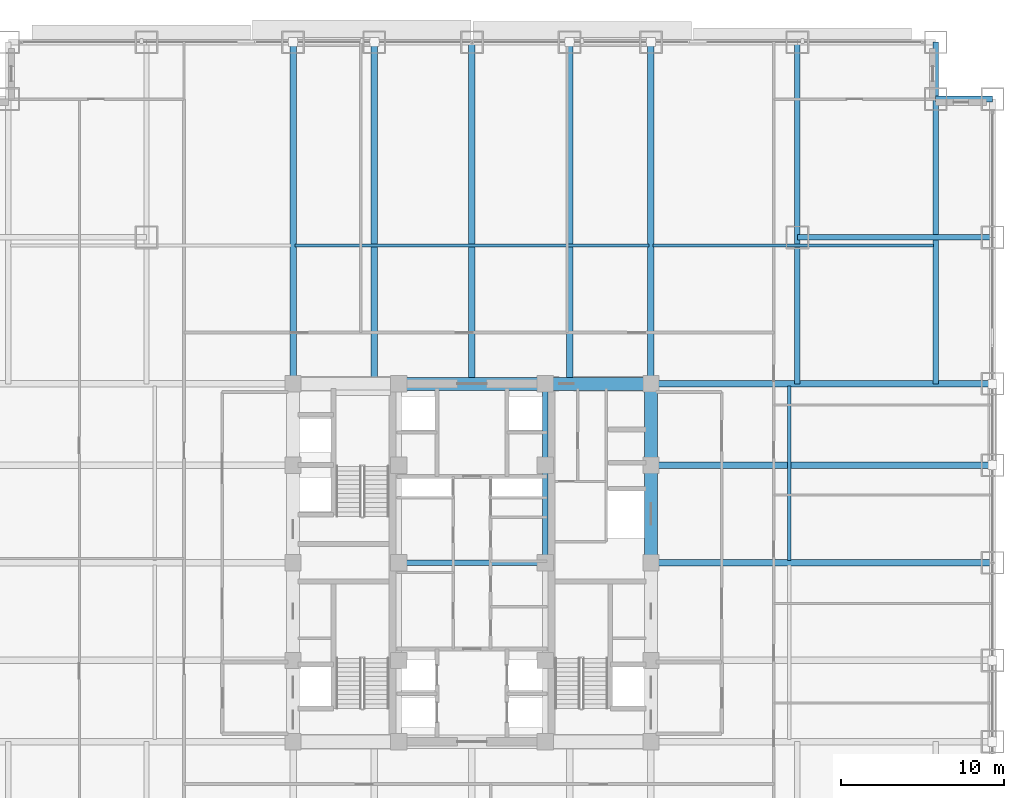
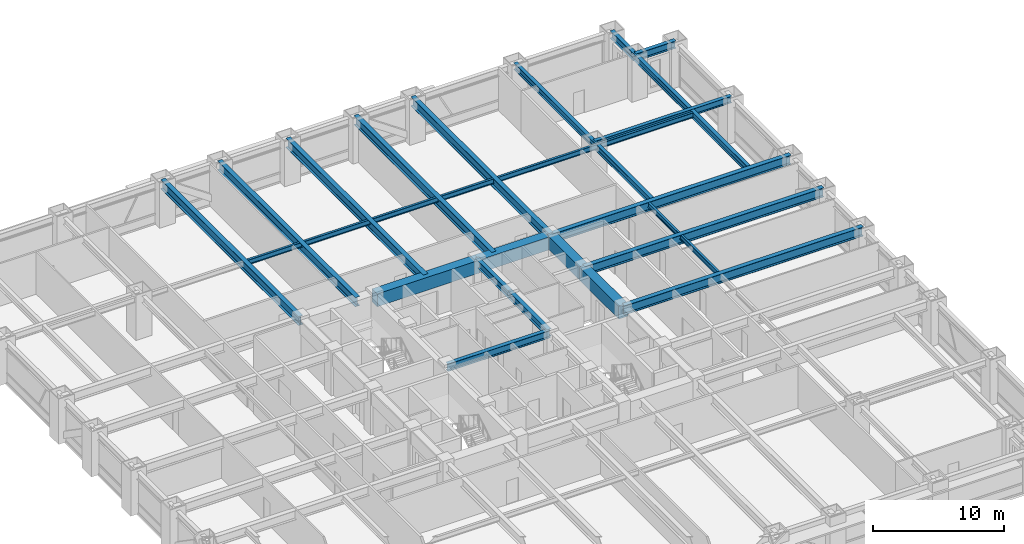
# One storey, part 11 of 32: 23 beams.
"""IFC4 building model written with IfcOpenShell, lengths in metres."""

import ifcopenshell
import ifcopenshell.guid

model = None  # the IFC model being written
_history = None  # IfcOwnerHistory: only IFC2X3 demands one
_inside = {}  # id of a spatial element -> (the spatial element, [elements in it])
_under = {}  # id of a project, library or spatial element -> (it, [spatial elements below it])
_declared = {}  # id of a project -> (the project, [libraries it declares])
_typed = {}  # id of a type object -> (the type object, [elements of that type])
_made_of = {}  # id of a material, layer set ... -> (it, [elements and type objects made of it])


def new_model(schema):
    """Start an empty IFC model of exactly this schema.

    Asked for "IFC4X3", IfcOpenShell would pick the latest addendum, in which some entities
    have other attributes; the version numbers below select the first issue.
    IFC2X3 requires an IfcOwnerHistory on every rooted entity: one is made here for all.
    """
    global model, _history
    if schema == "IFC4X3":
        model = ifcopenshell.file(schema_version=(4, 3, 0, 0))
    else:
        model = ifcopenshell.file(schema=schema)
    _inside.clear()
    _under.clear()
    _declared.clear()
    _typed.clear()
    _made_of.clear()
    _history = None
    if model.schema == "IFC2X3":
        org = make("IfcOrganization", Name="unknown")
        user = make(
            "IfcPersonAndOrganization",
            ThePerson=make("IfcPerson", FamilyName="unknown"),
            TheOrganization=org,
        )
        app = make(
            "IfcApplication",
            ApplicationDeveloper=org,
            Version="unknown",
            ApplicationFullName="unknown",
            ApplicationIdentifier="unknown",
        )
        _history = make(
            "IfcOwnerHistory",
            OwningUser=user,
            OwningApplication=app,
            ChangeAction="ADDED",
            CreationDate=0,
        )
    return model


def make(cls, **values):
    """One entity of the class cls with the attributes given. An attribute that is None is left unset."""
    return model.create_entity(
        cls, **{name: value for name, value in values.items() if value is not None}
    )


def rooted(cls, **values):
    """An entity with a GlobalId (a new one), such as an element, a storey or a relation."""
    return make(cls, GlobalId=ifcopenshell.guid.new(), OwnerHistory=_history, **values)


def si_unit(unit_type, name, prefix=None):
    """IfcSIUnit, for example si_unit("LENGTHUNIT", "METRE", prefix="MILLI")."""
    return make("IfcSIUnit", UnitType=unit_type, Prefix=prefix, Name=name)


def assignment(units):
    """IfcUnitAssignment: the units of a project."""
    return None if units is None else make("IfcUnitAssignment", Units=units)


def point(xyz):
    """IfcCartesianPoint."""
    return None if xyz is None else make("IfcCartesianPoint", Coordinates=xyz)


def direction(xyz):
    """IfcDirection."""
    return None if xyz is None else make("IfcDirection", DirectionRatios=xyz)


def frame(location, z_axis=None, x_axis=None):
    """IfcAxis2Placement3D, a coordinate frame: its origin and axes. An axis left out is left unset."""
    return make(
        "IfcAxis2Placement3D",
        Location=point(location),
        Axis=direction(z_axis),
        RefDirection=direction(x_axis),
    )


def frame_2d(location, x_axis=None):
    """IfcAxis2Placement2D, a coordinate frame in the plane: its origin and x axis."""
    return make(
        "IfcAxis2Placement2D", Location=point(location), RefDirection=direction(x_axis)
    )


def origin():
    """The frame at (0, 0, 0) with its axes left unset."""
    return frame((0.0, 0.0, 0.0))


def origin_2d():
    """The frame at (0, 0) in the plane with its x axis left unset."""
    return frame_2d((0.0, 0.0))


def place(relative_to, where):
    """IfcLocalPlacement: puts the frame where relative to a parent placement (None: the world)."""
    return make(
        "IfcLocalPlacement", PlacementRelTo=relative_to, RelativePlacement=where
    )


def context(
    kind, dimensions, precision=None, world=None, true_north=None, identifier=None
):
    """IfcGeometricRepresentationContext, for example the 3D "Model" context."""
    return make(
        "IfcGeometricRepresentationContext",
        ContextIdentifier=identifier,
        ContextType=kind,
        CoordinateSpaceDimension=dimensions,
        Precision=precision,
        WorldCoordinateSystem=world,
        TrueNorth=true_north,
    )


def subcontext(parent, identifier, kind, view, scale=None):
    """IfcGeometricRepresentationSubContext, for example "Body" below "Model"."""
    return make(
        "IfcGeometricRepresentationSubContext",
        ContextIdentifier=identifier,
        ContextType=kind,
        ParentContext=parent,
        TargetScale=scale,
        TargetView=view,
    )


def project(units=None, contexts=None):
    """IfcProject with its units and contexts."""
    return rooted(
        "IfcProject",
        Name="project",
        RepresentationContexts=contexts,
        UnitsInContext=assignment(units),
    )


def spatial(cls, under=None, at=None, **own):
    """A site, building, storey or space (cls), placed at a placement, below another one or the project."""
    s = rooted(cls, ObjectPlacement=at, **own)
    if under is not None:
        _under.setdefault(under.id(), (under, []))[1].append(s)
    return s


def profile(cls, at=None, kind="AREA", **sizes):
    """A parametric profile (cls). Its sizes go by their IFC names, for example OverallWidth=200.0."""
    return make(cls, ProfileType=kind, Position=at, **sizes)


def rectangle(**sizes):
    """IfcRectangleProfileDef."""
    return profile("IfcRectangleProfileDef", **sizes)


def i_section(**sizes):
    """IfcIShapeProfileDef."""
    return profile("IfcIShapeProfileDef", **sizes)


def extrude(swept, where, along, depth):
    """IfcExtrudedAreaSolid: the profile swept, set in the frame where, extruded along a direction by depth."""
    return make(
        "IfcExtrudedAreaSolid",
        SweptArea=swept,
        Position=where,
        ExtrudedDirection=direction(along),
        Depth=depth,
    )


def shape(context_of_items, identifier, shape_type, items):
    """IfcShapeRepresentation: the items that make up one representation, for example the "Body"."""
    return make(
        "IfcShapeRepresentation",
        ContextOfItems=context_of_items,
        RepresentationIdentifier=identifier,
        RepresentationType=shape_type,
        Items=items,
    )


def source(mapping_origin, context_of_items, identifier, shape_type, items):
    """IfcRepresentationMap: a shape defined once, which mapped items show again and again."""
    return make(
        "IfcRepresentationMap",
        MappingOrigin=mapping_origin,
        MappedRepresentation=shape(context_of_items, identifier, shape_type, items),
    )


def transform(
    local_origin,
    x_axis=None,
    y_axis=None,
    z_axis=None,
    scale=None,
    scale2=None,
    scale3=None,
    uniform=True,
):
    """IfcCartesianTransformationOperator3D, or its non-uniform kind. x_axis, y_axis, z_axis: its Axis1, 2, 3."""
    if uniform:
        return make(
            "IfcCartesianTransformationOperator3D",
            Axis1=direction(x_axis),
            Axis2=direction(y_axis),
            LocalOrigin=point(local_origin),
            Scale=scale,
            Axis3=direction(z_axis),
        )
    return make(
        "IfcCartesianTransformationOperator3DnonUniform",
        Axis1=direction(x_axis),
        Axis2=direction(y_axis),
        LocalOrigin=point(local_origin),
        Scale=scale,
        Axis3=direction(z_axis),
        Scale2=scale2,
        Scale3=scale3,
    )


def mapped(mapping_source, mapping_target):
    """IfcMappedItem: shows the shape of a source again, moved by a transform."""
    return make(
        "IfcMappedItem", MappingSource=mapping_source, MappingTarget=mapping_target
    )


def material(Name=None, Category=None):
    """IfcMaterial."""
    return make("IfcMaterial", Name=Name, Category=Category)


def material_profile(
    of_material, cross_section, Name=None, Category=None, Priority=None
):
    """IfcMaterialProfile: a cross section and its material."""
    return make(
        "IfcMaterialProfile",
        Name=Name,
        Material=of_material,
        Profile=cross_section,
        Priority=Priority,
        Category=Category,
    )


def profile_set(profiles, Name=None, composite=None):
    """IfcMaterialProfileSet."""
    return make(
        "IfcMaterialProfileSet",
        Name=Name,
        MaterialProfiles=profiles,
        CompositeProfile=composite,
    )


def made_of(thing, what):
    """Note that an element or type object is made of a material, layer set ...; save() writes the relation."""
    if what is not None:
        _made_of.setdefault(what.id(), (what, []))[1].append(thing)
    return thing


def type_object(cls, material=None, **own):
    """A type object (cls), such as IfcWallType, which elements share."""
    return made_of(rooted(cls, **own), material)


def element(
    cls,
    number,
    at=None,
    inside=None,
    cuts=None,
    type_object=None,
    material=None,
    context=None,
    identifier="Body",
    shape_type=None,
    held_by="IfcProductDefinitionShape",
    body=None,
    shapes=None,
    **own,
):
    """One element of the class cls, such as IfcWall. Its Tag is "e" and its number.

    at: its placement. inside: the storey or other place that contains it. cuts: it is an
    opening in that element (IfcRelVoidsElement). A single representation is given by context,
    identifier, shape_type and body (its items); several are given by shapes. held_by: the class
    of the entity that holds the representations. save() writes the other relations.
    """
    e = rooted(cls, Tag="e%d" % number, ObjectPlacement=at, **own)
    if body is not None:
        shapes = [shape(context, identifier, shape_type, body)]
    if shapes is not None:
        e.Representation = make(held_by, Representations=shapes)
    if inside is not None:
        _inside.setdefault(inside.id(), (inside, []))[1].append(e)
    if cuts is not None:
        rooted(
            "IfcRelVoidsElement", RelatingBuildingElement=cuts, RelatedOpeningElement=e
        )
    if type_object is not None:
        _typed.setdefault(type_object.id(), (type_object, []))[1].append(e)
    return made_of(e, material)


def aggregate(whole, parts):
    """IfcRelAggregates: a whole, such as a stair, and the parts it consists of."""
    return rooted("IfcRelAggregates", RelatingObject=whole, RelatedObjects=parts)


def save(model, path):
    """Write the relations noted so far, then the file.

    IfcRelAggregates (storeys below a building ...), IfcRelContainedInSpatialStructure (elements
    in a storey), IfcRelDefinesByType, IfcRelAssociatesMaterial and IfcRelDeclares: one each for
    every whole, place, type object, material and project.
    """
    for whole, parts in _under.values():
        aggregate(whole, parts)
    for where, things in _inside.values():
        rooted(
            "IfcRelContainedInSpatialStructure",
            RelatedElements=things,
            RelatingStructure=where,
        )
    for kind, things in _typed.values():
        rooted("IfcRelDefinesByType", RelatedObjects=things, RelatingType=kind)
    for what, things in _made_of.values():
        rooted("IfcRelAssociatesMaterial", RelatedObjects=things, RelatingMaterial=what)
    for by, libraries in _declared.values():
        rooted("IfcRelDeclares", RelatingContext=by, RelatedDefinitions=libraries)
    model.write(path)


model = new_model("IFC4")

# Units and contexts
model_context = context("Model", 3, precision=1e-05, world=origin(), true_north=direction((0.0, 1.0)))
body_context = subcontext(model_context, "Body", "Model", "MODEL_VIEW")
ifc_project = project(units=[si_unit("LENGTHUNIT", "METRE"), si_unit("AREAUNIT", "SQUARE_METRE"), si_unit("VOLUMEUNIT", "CUBIC_METRE"), si_unit("PLANEANGLEUNIT", "RADIAN"), si_unit("MASSUNIT", "GRAM", prefix="KILO")], contexts=[model_context])

# Site, building, storey
site_placement = place(None, origin())
site = spatial("IfcSite", under=ifc_project, at=site_placement, CompositionType="ELEMENT")
building_placement = place(site_placement, origin())
building = spatial("IfcBuilding", under=site, at=building_placement, Name="Khorayat Bourse Tower", CompositionType="ELEMENT")
storey_placement = place(building_placement, frame((0.0, 0.0, 74.60009765625)))
storey = spatial("IfcBuildingStorey", under=building, at=storey_placement, Name="L16", CompositionType="ELEMENT", Elevation=74.60009765625)

# Beams
ifc_material_1 = material(Name="Concrete C72/90", Category="concrete")
ifc_material_profile_1 = material_profile(ifc_material_1, rectangle(XDim=0.800048828125, YDim=1.199951171875, at=origin_2d()), Name="RC 800x1200")
ifc_profile_set_1 = profile_set([ifc_material_profile_1], Name="Concrete C72/90")
beam_type_1 = type_object("IfcBeamType", Name="BM-COUP-1200", PredefinedType="BEAM", material=ifc_profile_set_1)
shared_shape_1 = source(origin(), body_context, "Body", "SweptSolid", [
    extrude(rectangle(XDim=0.800048828125, YDim=1.199951171875, at=origin_2d()), origin(), (0.0, 0.0, 1.0), 5.0),
])
beam_1_placement = place(storey_placement, frame((11.0, 6.0, 3.33984375), z_axis=(0.0, 1.0, 0.0), x_axis=(-1.0, 0.0, 0.0)))
element("IfcBeam", 1, at=beam_1_placement, inside=storey, type_object=beam_type_1, Name="L16 BM-COUP-1200 BM-L16-CRX-16", PredefinedType="BEAM", context=body_context, shape_type="MappedRepresentation", body=[
    mapped(shared_shape_1, transform((0.0, 0.0, 0.0), scale=1.0)),
])
shared_shape_2 = source(origin(), body_context, "Body", "SweptSolid", [
    extrude(rectangle(XDim=0.800048828125, YDim=1.199951171875, at=origin_2d()), origin(), (0.0, 0.0, 1.0), 6.0),
])
beam_2_placement = place(storey_placement, frame((11.0, 0.0, 3.33984375), z_axis=(0.0, 1.0, 0.0), x_axis=(-1.0, 0.0, 0.0)))
element("IfcBeam", 2, at=beam_2_placement, inside=storey, type_object=beam_type_1, Name="L16 BM-COUP-1200 BM-L16-CRX-15", PredefinedType="BEAM", context=body_context, shape_type="MappedRepresentation", body=[
    mapped(shared_shape_2, transform((0.0, 0.0, 0.0), scale=1.0)),
])
ifc_material_2 = material(Name="Steel ASTM A992 Grade 50", Category="steel")
ifc_material_profile_2 = material_profile(ifc_material_2, i_section(OverallWidth=0.35498046875, OverallDepth=0.695068359375, WebThickness=0.015380859375, FlangeThickness=0.02490234375, FilletRadius=0.01806640625, at=origin_2d()), Name="W690X217")
ifc_profile_set_2 = profile_set([ifc_material_profile_2], Name="Steel ASTM A992 Grade 50")
beam_type_2 = type_object("IfcBeamType", Name="BM-GIRD-690", PredefinedType="BEAM", material=ifc_profile_set_2)
shared_shape_3 = source(origin(), body_context, "Body", "SweptSolid", [
    extrude(i_section(OverallWidth=0.35498046875, OverallDepth=0.695068359375, WebThickness=0.015380859375, FlangeThickness=0.02490234375, FilletRadius=0.01806640625, at=origin_2d()), origin(), (0.0, 0.0, 1.0), 5.0),
])
beam_3_placement = place(storey_placement, frame((4.5, 6.0, 3.59228515625), z_axis=(0.0, 1.0, 0.0), x_axis=(-1.0, 0.0, 0.0)))
element("IfcBeam", 3, at=beam_3_placement, inside=storey, type_object=beam_type_2, Name="L16 BM-GIRD-690 BM-L16-CRX-12", PredefinedType="BEAM", context=body_context, shape_type="MappedRepresentation", body=[
    mapped(shared_shape_3, transform((0.0, 0.0, 0.0), scale=1.0)),
])
shared_shape_4 = source(origin(), body_context, "Body", "SweptSolid", [
    extrude(i_section(OverallWidth=0.35498046875, OverallDepth=0.695068359375, WebThickness=0.015380859375, FlangeThickness=0.02490234375, FilletRadius=0.01806640625, at=origin_2d()), origin(), (0.0, 0.0, 1.0), 6.0),
])
beam_4_placement = place(storey_placement, frame((4.5, 0.0, 3.59228515625), z_axis=(0.0, 1.0, 0.0), x_axis=(-1.0, 0.0, 0.0)))
element("IfcBeam", 4, at=beam_4_placement, inside=storey, type_object=beam_type_2, Name="L16 BM-GIRD-690 BM-L16-CRX-11", PredefinedType="BEAM", context=body_context, shape_type="MappedRepresentation", body=[
    mapped(shared_shape_4, transform((0.0, 0.0, 0.0), scale=1.0)),
])
shared_shape_5 = source(origin(), body_context, "Body", "SweptSolid", [
    extrude(rectangle(XDim=0.800048828125, YDim=1.199951171875, at=origin_2d()), origin(), (0.0, 0.0, 1.0), 6.5),
])
beam_5_placement = place(storey_placement, frame((4.5, 11.0, 3.33984375), z_axis=(1.0, 0.0, 0.0), x_axis=(0.0, 1.0, 0.0)))
element("IfcBeam", 5, at=beam_5_placement, inside=storey, type_object=beam_type_1, Name="L16 BM-COUP-1200 BM-L16-CRY-22", PredefinedType="BEAM", context=body_context, shape_type="MappedRepresentation", body=[
    mapped(shared_shape_5, transform((0.0, 0.0, 0.0), scale=1.0)),
])
shared_shape_6 = source(origin(), body_context, "Body", "SweptSolid", [
    extrude(rectangle(XDim=0.800048828125, YDim=1.199951171875, at=origin_2d()), origin(), (0.0, 0.0, 1.0), 9.0),
])
beam_6_placement = place(storey_placement, frame((-4.5, 11.0, 3.33984375), z_axis=(1.0, 0.0, 0.0), x_axis=(0.0, 1.0, 0.0)))
element("IfcBeam", 6, at=beam_6_placement, inside=storey, type_object=beam_type_1, Name="L16 BM-COUP-1200 BM-L16-CRY-21", PredefinedType="BEAM", context=body_context, shape_type="MappedRepresentation", body=[
    mapped(shared_shape_6, transform((0.0, 0.0, 0.0), scale=1.0)),
])
shared_shape_7 = source(origin(), body_context, "Body", "SweptSolid", [
    extrude(i_section(OverallWidth=0.35498046875, OverallDepth=0.695068359375, WebThickness=0.015380859375, FlangeThickness=0.02490234375, FilletRadius=0.01806640625, at=origin_2d()), origin(), (0.0, 0.0, 1.0), 9.0),
])
beam_7_placement = place(storey_placement, frame((-4.5, 0.0, 3.59228515625), z_axis=(1.0, 0.0, 0.0), x_axis=(0.0, 1.0, 0.0)))
element("IfcBeam", 7, at=beam_7_placement, inside=storey, type_object=beam_type_2, Name="L16 BM-GIRD-690 BM-L16-CRY-23", PredefinedType="BEAM", context=body_context, shape_type="MappedRepresentation", body=[
    mapped(shared_shape_7, transform((0.0, 0.0, 0.0), scale=1.0)),
])
ifc_material_profile_3 = material_profile(ifc_material_2, i_section(OverallWidth=0.35498046875, OverallDepth=0.695068359375, WebThickness=0.015380859375, FlangeThickness=0.02490234375, FilletRadius=0.01806640625, at=origin_2d()), Name="W690X217")
ifc_profile_set_3 = profile_set([ifc_material_profile_3], Name="Steel ASTM A992 Grade 50")
beam_type_3 = type_object("IfcBeamType", Name="BM-SPAN-690", PredefinedType="SPANDREL", material=ifc_profile_set_3)
shared_shape_8 = source(origin(), body_context, "Body", "SweptSolid", [
    extrude(i_section(OverallWidth=0.35498046875, OverallDepth=0.695068359375, WebThickness=0.015380859375, FlangeThickness=0.02490234375, FilletRadius=0.01806640625, at=origin_2d()), origin(), (0.0, 0.0, 1.0), 3.5),
])
for number, where, z_axis, x_axis, name in (
    (8, (28.5, 28.5, 3.59228515625), (1.0, 0.0, 0.0), (0.0, 1.0, 0.0), "L16 BM-SPAN-690 BM-L16-SPN-042"),
    (9, (28.5, 28.5, 3.59228515625), (0.0, 1.0, 0.0), (-1.0, 0.0, 0.0), "L16 BM-SPAN-690 BM-L16-SPN-043"),
):
    element("IfcBeam", number, at=place(storey_placement, frame(where, z_axis=z_axis, x_axis=x_axis)), inside=storey, type_object=beam_type_3, Name=name, PredefinedType="SPANDREL", context=body_context, shape_type="MappedRepresentation", body=[
        mapped(shared_shape_8, transform((0.0, 0.0, 0.0), scale=1.0)),
    ])
ifc_material_profile_4 = material_profile(ifc_material_2, i_section(OverallWidth=0.39990234375, OverallDepth=0.85498046875, WebThickness=0.018310546875, FlangeThickness=0.029296875, FilletRadius=0.02001953125, at=origin_2d()), Name="W840X299")
ifc_profile_set_4 = profile_set([ifc_material_profile_4], Name="Steel ASTM A992 Grade 50")
beam_type_4 = type_object("IfcBeamType", Name="BM-GIRD-840", PredefinedType="BEAM", material=ifc_profile_set_4)
shared_shape_9 = source(origin(), body_context, "Body", "SweptSolid", [
    extrude(i_section(OverallWidth=0.39990234375, OverallDepth=0.85498046875, WebThickness=0.018310546875, FlangeThickness=0.029296875, FilletRadius=0.02001953125, at=origin_2d()), origin(), (0.0, 0.0, 1.0), 21.0),
])
for number, where, z_axis, x_axis, name in (
    (10, (-11.0, 11.0, 3.512451171875), (0.0, 1.0, 0.0), (-1.0, 0.0, 0.0), "L16 BM-GIRD-840 BM-L16-RADY-064"),
    (11, (-6.0, 11.0, 3.512451171875), (0.0, 1.0, 0.0), (-1.0, 0.0, 0.0), "L16 BM-GIRD-840 BM-L16-RADY-066"),
    (12, (0.0, 11.0, 3.512451171875), (0.0, 1.0, 0.0), (-1.0, 0.0, 0.0), "L16 BM-GIRD-840 BM-L16-RADY-068"),
    (13, (6.0, 11.0, 3.512451171875), (0.0, 1.0, 0.0), (-1.0, 0.0, 0.0), "L16 BM-GIRD-840 BM-L16-RADY-070"),
    (14, (11.0, 11.0, 3.512451171875), (0.0, 1.0, 0.0), (-1.0, 0.0, 0.0), "L16 BM-GIRD-840 BM-L16-RADY-072"),
    (15, (11.0, 0.0, 3.512451171875), (1.0, 0.0, 0.0), (0.0, 1.0, 0.0), "L16 BM-GIRD-840 BM-L16-RADX-078"),
    (16, (11.0, 6.0, 3.512451171875), (1.0, 0.0, 0.0), (0.0, 1.0, 0.0), "L16 BM-GIRD-840 BM-L16-RADX-080"),
    (17, (11.0, 11.0, 3.512451171875), (1.0, 0.0, 0.0), (0.0, 1.0, 0.0), "L16 BM-GIRD-840 BM-L16-RADX-082"),
):
    element("IfcBeam", number, at=place(storey_placement, frame(where, z_axis=z_axis, x_axis=x_axis)), inside=storey, type_object=beam_type_4, Name=name, PredefinedType="BEAM", context=body_context, shape_type="MappedRepresentation", body=[
        mapped(shared_shape_9, transform((0.0, 0.0, 0.0), scale=1.0)),
    ])
ifc_material_profile_5 = material_profile(ifc_material_2, i_section(OverallWidth=0.324951171875, OverallDepth=0.615966796875, WebThickness=0.013916015625, FlangeThickness=0.021484375, FilletRadius=0.01611328125, at=origin_2d()), Name="W610X174")
ifc_profile_set_5 = profile_set([ifc_material_profile_5], Name="Steel ASTM A992 Grade 50")
beam_type_5 = type_object("IfcBeamType", Name="BM-GIRD-610", PredefinedType="BEAM", material=ifc_profile_set_5)
shared_shape_10 = source(origin(), body_context, "Body", "SweptSolid", [
    extrude(i_section(OverallWidth=0.324951171875, OverallDepth=0.615966796875, WebThickness=0.013916015625, FlangeThickness=0.021484375, FilletRadius=0.01611328125, at=origin_2d()), origin(), (0.0, 0.0, 1.0), 21.0),
])
beam_8_placement = place(storey_placement, frame((20.0, 11.0, 3.6318359375), z_axis=(0.0, 1.0, 0.0), x_axis=(-1.0, 0.0, 0.0)))
element("IfcBeam", 18, at=beam_8_placement, inside=storey, type_object=beam_type_5, Name="L16 BM-GIRD-610 BM-L16-CNRY-087", PredefinedType="BEAM", context=body_context, shape_type="MappedRepresentation", body=[
    mapped(shared_shape_10, transform((0.0, 0.0, 0.0), scale=1.0)),
])
shared_shape_11 = source(origin(), body_context, "Body", "SweptSolid", [
    extrude(i_section(OverallWidth=0.324951171875, OverallDepth=0.615966796875, WebThickness=0.013916015625, FlangeThickness=0.021484375, FilletRadius=0.01611328125, at=origin_2d()), origin(), (0.0, 0.0, 1.0), 17.5),
])
beam_9_placement = place(storey_placement, frame((28.5, 11.0, 3.6318359375), z_axis=(0.0, 1.0, 0.0), x_axis=(-1.0, 0.0, 0.0)))
element("IfcBeam", 19, at=beam_9_placement, inside=storey, type_object=beam_type_5, Name="L16 BM-GIRD-610 BM-L16-CNRY-091", PredefinedType="BEAM", context=body_context, shape_type="MappedRepresentation", body=[
    mapped(shared_shape_11, transform((0.0, 0.0, 0.0), scale=1.0)),
])
shared_shape_12 = source(origin(), body_context, "Body", "SweptSolid", [
    extrude(i_section(OverallWidth=0.324951171875, OverallDepth=0.615966796875, WebThickness=0.013916015625, FlangeThickness=0.021484375, FilletRadius=0.01611328125, at=origin_2d()), origin(), (0.0, 0.0, 1.0), 12.0),
])
beam_10_placement = place(storey_placement, frame((20.0, 20.0, 3.6318359375), z_axis=(1.0, 0.0, 0.0), x_axis=(0.0, 1.0, 0.0)))
element("IfcBeam", 20, at=beam_10_placement, inside=storey, type_object=beam_type_5, Name="L16 BM-GIRD-610 BM-L16-CNRX-094", PredefinedType="BEAM", context=body_context, shape_type="MappedRepresentation", body=[
    mapped(shared_shape_12, transform((0.0, 0.0, 0.0), scale=1.0)),
])
ifc_material_profile_6 = material_profile(ifc_material_2, i_section(OverallWidth=0.194091796875, OverallDepth=0.468994140625, WebThickness=0.0126953125, FlangeThickness=0.0205078125, FilletRadius=0.012939453125, at=origin_2d()), Name="W460X106")
ifc_profile_set_6 = profile_set([ifc_material_profile_6], Name="Steel ASTM A992 Grade 50")
beam_type_6 = type_object("IfcBeamType", Name="BM-JOIST-460", PredefinedType="JOIST", material=ifc_profile_set_6)
shared_shape_13 = source(origin(), body_context, "Body", "SweptSolid", [
    extrude(i_section(OverallWidth=0.194091796875, OverallDepth=0.468994140625, WebThickness=0.0126953125, FlangeThickness=0.0205078125, FilletRadius=0.012939453125, at=origin_2d()), origin(), (0.0, 0.0, 1.0), 17.240234375),
])
beam_11_placement = place(storey_placement, frame((11.1298828125, 19.5, 3.705322265625), z_axis=(1.0, 0.0, 0.0), x_axis=(0.0, 1.0, 0.0)))
element("IfcBeam", 21, at=beam_11_placement, inside=storey, type_object=beam_type_6, Name="L16 BM-JOIST-460 BM-L16-JSTX-101", PredefinedType="JOIST", context=body_context, shape_type="MappedRepresentation", body=[
    mapped(shared_shape_13, transform((0.0, 0.0, 0.0), scale=1.0)),
])
shared_shape_14 = source(origin(), body_context, "Body", "SweptSolid", [
    extrude(i_section(OverallWidth=0.194091796875, OverallDepth=0.468994140625, WebThickness=0.0126953125, FlangeThickness=0.0205078125, FilletRadius=0.012939453125, at=origin_2d()), origin(), (0.0, 0.0, 1.0), 21.740234375),
])
beam_12_placement = place(storey_placement, frame((-10.8701171875, 19.5, 3.705322265625), z_axis=(1.0, 0.0, 0.0), x_axis=(0.0, 1.0, 0.0)))
element("IfcBeam", 22, at=beam_12_placement, inside=storey, type_object=beam_type_6, Name="L16 BM-JOIST-460 BM-L16-JSTX-100", PredefinedType="JOIST", context=body_context, shape_type="MappedRepresentation", body=[
    mapped(shared_shape_14, transform((0.0, 0.0, 0.0), scale=1.0)),
])
shared_shape_15 = source(origin(), body_context, "Body", "SweptSolid", [
    extrude(i_section(OverallWidth=0.194091796875, OverallDepth=0.468994140625, WebThickness=0.0126953125, FlangeThickness=0.0205078125, FilletRadius=0.012939453125, at=origin_2d()), origin(), (0.0, 0.0, 1.0), 10.740234375),
])
beam_13_placement = place(storey_placement, frame((19.5, 0.1298828125, 3.705322265625), z_axis=(0.0, 1.0, 0.0), x_axis=(-1.0, 0.0, 0.0)))
element("IfcBeam", 23, at=beam_13_placement, inside=storey, type_object=beam_type_6, Name="L16 BM-JOIST-460 BM-L16-JSTY-105", PredefinedType="JOIST", context=body_context, shape_type="MappedRepresentation", body=[
    mapped(shared_shape_15, transform((0.0, 0.0, 0.0), scale=1.0)),
])

save(model, "model.ifc")
